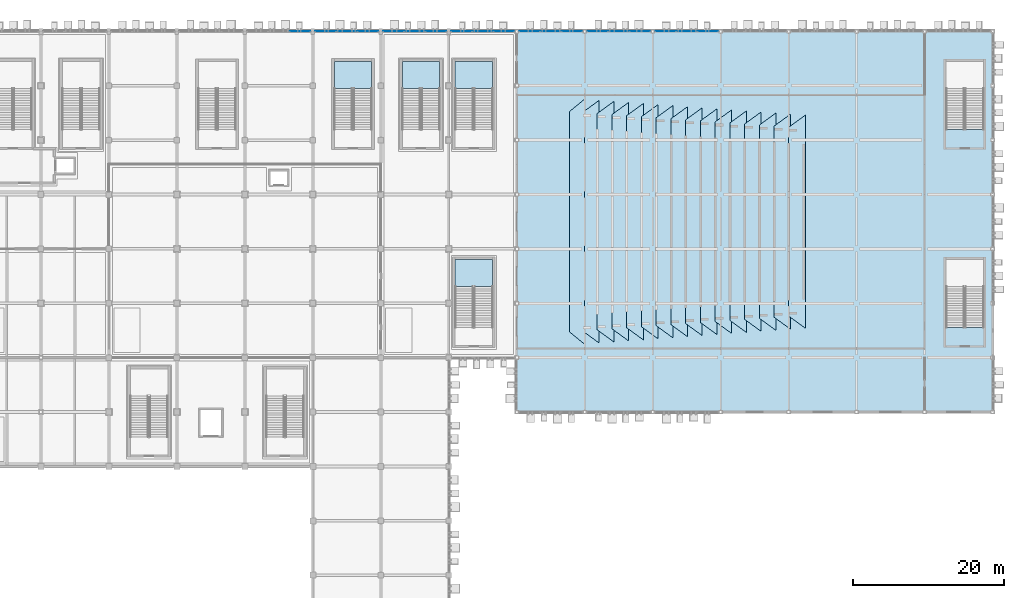
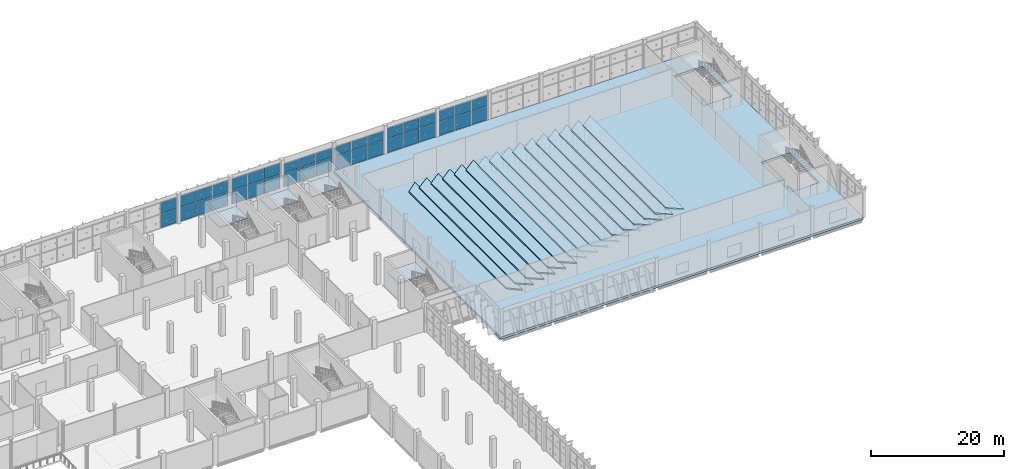
# One storey, part 121 of 189: 38 plates, 21 slabs, 11 elements without a shape of their own.
"""IFC4 building model written with IfcOpenShell, lengths in metres."""

from ifc_helpers import new_model, si_unit, direction, frame, origin, origin_2d, place, context, subcontext, project, spatial, polyline, rectangle, outline, extrude, material, layer, layer_set, type_object, element, aggregate, save


model = new_model("IFC4")

# Units and contexts
model_context = context("Model", 3, precision=1e-05, world=origin(), true_north=direction((0.0, 1.0)))
body_context = subcontext(model_context, "Body", "Model", "MODEL_VIEW")
ifc_project = project(units=[si_unit("LENGTHUNIT", "METRE"), si_unit("AREAUNIT", "SQUARE_METRE"), si_unit("VOLUMEUNIT", "CUBIC_METRE"), si_unit("PLANEANGLEUNIT", "RADIAN"), si_unit("MASSUNIT", "GRAM", prefix="KILO")], contexts=[model_context])

# Site, building, storey
site_placement = place(None, origin())
site = spatial("IfcSite", under=ifc_project, at=site_placement, CompositionType="ELEMENT")
building_placement = place(site_placement, origin())
building = spatial("IfcBuilding", under=site, at=building_placement, Name="Celestram Park Convention Centre", CompositionType="ELEMENT")
storey_placement = place(building_placement, frame((0.0, 0.0, 5.39990234375)))
storey = spatial("IfcBuildingStorey", under=building, at=storey_placement, Name="L01", CompositionType="ELEMENT", Elevation=5.39990234375)

# Curtain wall, plates
ifc_material_1 = material(Name="Anodised Aluminium Alloy 6063-T6", Category="aluminium")
ifc_layer_1 = layer(ifc_material_1, 0.179931640625)
ifc_layer_set_1 = layer_set([ifc_layer_1], Name="Anodised Aluminium Alloy 6063-T6")
curtain_wall_type_1 = type_object("IfcCurtainWallType", Name="ARC-CW-850X476", PredefinedType="NOTDEFINED", material=ifc_layer_set_1)
curtain_wall_1_placement = place(storey_placement, origin())
curtain_wall_1 = element("IfcCurtainWall", 1, at=curtain_wall_1_placement, inside=storey, type_object=curtain_wall_type_1, Name="Unitised curtain wall CU-L01-064", PredefinedType="NOTDEFINED")
ifc_material_2 = material(Name="Insulated Glazing Unit 38 mm", Category="glass")
ifc_layer_2 = layer(ifc_material_2, 0.0380859375)
ifc_layer_set_2 = layer_set([ifc_layer_2], Name="Insulated Glazing Unit 38 mm")
plate_type = type_object("IfcPlateType", Name="ARC-CWP-IGU38", PredefinedType="CURTAIN_PANEL", material=ifc_layer_set_2)
plate_1_placement = place(storey_placement, frame((124.31591796875, 165.60009765625, 0.06494140625), z_axis=(0.0, 0.0, 1.0), x_axis=(1.0, 0.0, 0.0)))
plate_1 = element("IfcPlate", 2, at=plate_1_placement, type_object=plate_type, Name="CW-85X47 panel 3.1", PredefinedType="CURTAIN_PANEL", context=body_context, shape_type="SweptSolid", body=[
    extrude(rectangle(XDim=2.72216796875, YDim=0.0380859375, at=origin_2d()), origin(), (0.0, 0.0, 1.0), 2.552490234375),
])
plate_2_placement = place(storey_placement, frame((124.31591796875, 165.60009765625, 2.6826171875), z_axis=(0.0, 0.0, 1.0), x_axis=(1.0, 0.0, 0.0)))
plate_2 = element("IfcPlate", 3, at=plate_2_placement, type_object=plate_type, Name="CW-85X47 panel 3.2", PredefinedType="CURTAIN_PANEL", context=body_context, shape_type="SweptSolid", body=[
    extrude(rectangle(XDim=2.72216796875, YDim=0.0380859375, at=origin_2d()), origin(), (0.0, 0.0, 1.0), 2.0166015625),
])
aggregate(curtain_wall_1, [plate_1, plate_2])

curtain_wall_2_placement = place(storey_placement, origin())
curtain_wall_2 = element("IfcCurtainWall", 4, at=curtain_wall_2_placement, inside=storey, type_object=curtain_wall_type_1, Name="Unitised curtain wall CU-L01-065", PredefinedType="NOTDEFINED")
plate_3_placement = place(storey_placement, frame((127.68408203125, 165.60009765625, 0.06494140625), z_axis=(0.0, 0.0, 1.0), x_axis=(1.0, 0.0, 0.0)))
plate_3 = element("IfcPlate", 5, at=plate_3_placement, type_object=plate_type, Name="CW-85X47 panel 1.1", PredefinedType="CURTAIN_PANEL", context=body_context, shape_type="SweptSolid", body=[
    extrude(rectangle(XDim=2.72216796875, YDim=0.0380859375, at=origin_2d()), origin(), (0.0, 0.0, 1.0), 2.552490234375),
])
plate_4_placement = place(storey_placement, frame((127.68408203125, 165.60009765625, 2.6826171875), z_axis=(0.0, 0.0, 1.0), x_axis=(1.0, 0.0, 0.0)))
plate_4 = element("IfcPlate", 6, at=plate_4_placement, type_object=plate_type, Name="CW-85X47 panel 1.2", PredefinedType="CURTAIN_PANEL", context=body_context, shape_type="SweptSolid", body=[
    extrude(rectangle(XDim=2.72216796875, YDim=0.0380859375, at=origin_2d()), origin(), (0.0, 0.0, 1.0), 2.0166015625),
])
plate_5_placement = place(storey_placement, frame((130.5, 165.60009765625, 0.06494140625), z_axis=(0.0, 0.0, 1.0), x_axis=(1.0, 0.0, 0.0)))
plate_5 = element("IfcPlate", 7, at=plate_5_placement, type_object=plate_type, Name="CW-85X47 panel 2.1", PredefinedType="CURTAIN_PANEL", context=body_context, shape_type="SweptSolid", body=[
    extrude(rectangle(XDim=2.759765625, YDim=0.0380859375, at=origin_2d()), origin(), (0.0, 0.0, 1.0), 2.552490234375),
])
plate_6_placement = place(storey_placement, frame((130.5, 165.60009765625, 2.6826171875), z_axis=(0.0, 0.0, 1.0), x_axis=(1.0, 0.0, 0.0)))
plate_6 = element("IfcPlate", 8, at=plate_6_placement, type_object=plate_type, Name="CW-85X47 panel 2.2", PredefinedType="CURTAIN_PANEL", context=body_context, shape_type="SweptSolid", body=[
    extrude(rectangle(XDim=2.759765625, YDim=0.0380859375, at=origin_2d()), origin(), (0.0, 0.0, 1.0), 2.0166015625),
])
plate_7_placement = place(storey_placement, frame((133.31591796875, 165.60009765625, 0.06494140625), z_axis=(0.0, 0.0, 1.0), x_axis=(1.0, 0.0, 0.0)))
plate_7 = element("IfcPlate", 9, at=plate_7_placement, type_object=plate_type, Name="CW-85X47 panel 3.1", PredefinedType="CURTAIN_PANEL", context=body_context, shape_type="SweptSolid", body=[
    extrude(rectangle(XDim=2.72216796875, YDim=0.0380859375, at=origin_2d()), origin(), (0.0, 0.0, 1.0), 2.552490234375),
])
plate_8_placement = place(storey_placement, frame((133.31591796875, 165.60009765625, 2.6826171875), z_axis=(0.0, 0.0, 1.0), x_axis=(1.0, 0.0, 0.0)))
plate_8 = element("IfcPlate", 10, at=plate_8_placement, type_object=plate_type, Name="CW-85X47 panel 3.2", PredefinedType="CURTAIN_PANEL", context=body_context, shape_type="SweptSolid", body=[
    extrude(rectangle(XDim=2.72216796875, YDim=0.0380859375, at=origin_2d()), origin(), (0.0, 0.0, 1.0), 2.0166015625),
])
aggregate(curtain_wall_2, [plate_3, plate_4, plate_5, plate_6, plate_7, plate_8])

curtain_wall_3_placement = place(storey_placement, origin())
curtain_wall_3 = element("IfcCurtainWall", 11, at=curtain_wall_3_placement, inside=storey, type_object=curtain_wall_type_1, Name="Unitised curtain wall CU-L01-066", PredefinedType="NOTDEFINED")
plate_9_placement = place(storey_placement, frame((136.68408203125, 165.60009765625, 0.06494140625), z_axis=(0.0, 0.0, 1.0), x_axis=(1.0, 0.0, 0.0)))
plate_9 = element("IfcPlate", 12, at=plate_9_placement, type_object=plate_type, Name="CW-85X47 panel 1.1", PredefinedType="CURTAIN_PANEL", context=body_context, shape_type="SweptSolid", body=[
    extrude(rectangle(XDim=2.72216796875, YDim=0.0380859375, at=origin_2d()), origin(), (0.0, 0.0, 1.0), 2.552490234375),
])
plate_10_placement = place(storey_placement, frame((136.68408203125, 165.60009765625, 2.6826171875), z_axis=(0.0, 0.0, 1.0), x_axis=(1.0, 0.0, 0.0)))
plate_10 = element("IfcPlate", 13, at=plate_10_placement, type_object=plate_type, Name="CW-85X47 panel 1.2", PredefinedType="CURTAIN_PANEL", context=body_context, shape_type="SweptSolid", body=[
    extrude(rectangle(XDim=2.72216796875, YDim=0.0380859375, at=origin_2d()), origin(), (0.0, 0.0, 1.0), 2.0166015625),
])
plate_11_placement = place(storey_placement, frame((139.5, 165.60009765625, 0.06494140625), z_axis=(0.0, 0.0, 1.0), x_axis=(1.0, 0.0, 0.0)))
plate_11 = element("IfcPlate", 14, at=plate_11_placement, type_object=plate_type, Name="CW-85X47 panel 2.1", PredefinedType="CURTAIN_PANEL", context=body_context, shape_type="SweptSolid", body=[
    extrude(rectangle(XDim=2.759765625, YDim=0.0380859375, at=origin_2d()), origin(), (0.0, 0.0, 1.0), 2.552490234375),
])
plate_12_placement = place(storey_placement, frame((139.5, 165.60009765625, 2.6826171875), z_axis=(0.0, 0.0, 1.0), x_axis=(1.0, 0.0, 0.0)))
plate_12 = element("IfcPlate", 15, at=plate_12_placement, type_object=plate_type, Name="CW-85X47 panel 2.2", PredefinedType="CURTAIN_PANEL", context=body_context, shape_type="SweptSolid", body=[
    extrude(rectangle(XDim=2.759765625, YDim=0.0380859375, at=origin_2d()), origin(), (0.0, 0.0, 1.0), 2.0166015625),
])
plate_13_placement = place(storey_placement, frame((142.31591796875, 165.60009765625, 0.06494140625), z_axis=(0.0, 0.0, 1.0), x_axis=(1.0, 0.0, 0.0)))
plate_13 = element("IfcPlate", 16, at=plate_13_placement, type_object=plate_type, Name="CW-85X47 panel 3.1", PredefinedType="CURTAIN_PANEL", context=body_context, shape_type="SweptSolid", body=[
    extrude(rectangle(XDim=2.72216796875, YDim=0.0380859375, at=origin_2d()), origin(), (0.0, 0.0, 1.0), 2.552490234375),
])
plate_14_placement = place(storey_placement, frame((142.31591796875, 165.60009765625, 2.6826171875), z_axis=(0.0, 0.0, 1.0), x_axis=(1.0, 0.0, 0.0)))
plate_14 = element("IfcPlate", 17, at=plate_14_placement, type_object=plate_type, Name="CW-85X47 panel 3.2", PredefinedType="CURTAIN_PANEL", context=body_context, shape_type="SweptSolid", body=[
    extrude(rectangle(XDim=2.72216796875, YDim=0.0380859375, at=origin_2d()), origin(), (0.0, 0.0, 1.0), 2.0166015625),
])
aggregate(curtain_wall_3, [plate_9, plate_10, plate_11, plate_12, plate_13, plate_14])

ifc_layer_3 = layer(ifc_material_1, 0.179931640625)
ifc_layer_set_3 = layer_set([ifc_layer_3], Name="Anodised Aluminium Alloy 6063-T6")
curtain_wall_type_2 = type_object("IfcCurtainWallType", Name="ARC-CW-850X437", PredefinedType="NOTDEFINED", material=ifc_layer_set_3)
curtain_wall_4_placement = place(storey_placement, origin())
curtain_wall_4 = element("IfcCurtainWall", 18, at=curtain_wall_4_placement, inside=storey, type_object=curtain_wall_type_2, Name="Unitised curtain wall CU-L01-067", PredefinedType="NOTDEFINED")
plate_15_placement = place(storey_placement, frame((145.68408203125, 165.60009765625, 0.065185546875), z_axis=(0.0, 0.0, 1.0), x_axis=(1.0, 0.0, 0.0)))
plate_15 = element("IfcPlate", 19, at=plate_15_placement, type_object=plate_type, Name="CW-85X43 panel 1.1", PredefinedType="CURTAIN_PANEL", context=body_context, shape_type="SweptSolid", body=[
    extrude(rectangle(XDim=2.72216796875, YDim=0.0380859375, at=origin_2d()), origin(), (0.0, 0.0, 1.0), 2.5234375),
])
plate_16_placement = place(storey_placement, frame((145.68408203125, 165.60009765625, 2.653564453125), z_axis=(0.0, 0.0, 1.0), x_axis=(1.0, 0.0, 0.0)))
plate_16 = element("IfcPlate", 20, at=plate_16_placement, type_object=plate_type, Name="CW-85X43 panel 1.2", PredefinedType="CURTAIN_PANEL", context=body_context, shape_type="SweptSolid", body=[
    extrude(rectangle(XDim=2.72216796875, YDim=0.0380859375, at=origin_2d()), origin(), (0.0, 0.0, 1.0), 1.6494140625),
])
plate_17_placement = place(storey_placement, frame((148.5, 165.60009765625, 0.065185546875), z_axis=(0.0, 0.0, 1.0), x_axis=(1.0, 0.0, 0.0)))
plate_17 = element("IfcPlate", 21, at=plate_17_placement, type_object=plate_type, Name="CW-85X43 panel 2.1", PredefinedType="CURTAIN_PANEL", context=body_context, shape_type="SweptSolid", body=[
    extrude(rectangle(XDim=2.759765625, YDim=0.0380859375, at=origin_2d()), origin(), (0.0, 0.0, 1.0), 2.5234375),
])
plate_18_placement = place(storey_placement, frame((148.5, 165.60009765625, 2.653564453125), z_axis=(0.0, 0.0, 1.0), x_axis=(1.0, 0.0, 0.0)))
plate_18 = element("IfcPlate", 22, at=plate_18_placement, type_object=plate_type, Name="CW-85X43 panel 2.2", PredefinedType="CURTAIN_PANEL", context=body_context, shape_type="SweptSolid", body=[
    extrude(rectangle(XDim=2.759765625, YDim=0.0380859375, at=origin_2d()), origin(), (0.0, 0.0, 1.0), 1.6494140625),
])
plate_19_placement = place(storey_placement, frame((151.31591796875, 165.60009765625, 0.065185546875), z_axis=(0.0, 0.0, 1.0), x_axis=(1.0, 0.0, 0.0)))
plate_19 = element("IfcPlate", 23, at=plate_19_placement, type_object=plate_type, Name="CW-85X43 panel 3.1", PredefinedType="CURTAIN_PANEL", context=body_context, shape_type="SweptSolid", body=[
    extrude(rectangle(XDim=2.72216796875, YDim=0.0380859375, at=origin_2d()), origin(), (0.0, 0.0, 1.0), 2.5234375),
])
plate_20_placement = place(storey_placement, frame((151.31591796875, 165.60009765625, 2.653564453125), z_axis=(0.0, 0.0, 1.0), x_axis=(1.0, 0.0, 0.0)))
plate_20 = element("IfcPlate", 24, at=plate_20_placement, type_object=plate_type, Name="CW-85X43 panel 3.2", PredefinedType="CURTAIN_PANEL", context=body_context, shape_type="SweptSolid", body=[
    extrude(rectangle(XDim=2.72216796875, YDim=0.0380859375, at=origin_2d()), origin(), (0.0, 0.0, 1.0), 1.6494140625),
])
aggregate(curtain_wall_4, [plate_15, plate_16, plate_17, plate_18, plate_19, plate_20])

curtain_wall_5_placement = place(storey_placement, origin())
curtain_wall_5 = element("IfcCurtainWall", 25, at=curtain_wall_5_placement, inside=storey, type_object=curtain_wall_type_2, Name="Unitised curtain wall CU-L01-068", PredefinedType="NOTDEFINED")
plate_21_placement = place(storey_placement, frame((154.68408203125, 165.60009765625, 0.065185546875), z_axis=(0.0, 0.0, 1.0), x_axis=(1.0, 0.0, 0.0)))
plate_21 = element("IfcPlate", 26, at=plate_21_placement, type_object=plate_type, Name="CW-85X43 panel 1.1", PredefinedType="CURTAIN_PANEL", context=body_context, shape_type="SweptSolid", body=[
    extrude(rectangle(XDim=2.72216796875, YDim=0.0380859375, at=origin_2d()), origin(), (0.0, 0.0, 1.0), 2.5234375),
])
plate_22_placement = place(storey_placement, frame((154.68408203125, 165.60009765625, 2.653564453125), z_axis=(0.0, 0.0, 1.0), x_axis=(1.0, 0.0, 0.0)))
plate_22 = element("IfcPlate", 27, at=plate_22_placement, type_object=plate_type, Name="CW-85X43 panel 1.2", PredefinedType="CURTAIN_PANEL", context=body_context, shape_type="SweptSolid", body=[
    extrude(rectangle(XDim=2.72216796875, YDim=0.0380859375, at=origin_2d()), origin(), (0.0, 0.0, 1.0), 1.6494140625),
])
plate_23_placement = place(storey_placement, frame((157.5, 165.60009765625, 0.065185546875), z_axis=(0.0, 0.0, 1.0), x_axis=(1.0, 0.0, 0.0)))
plate_23 = element("IfcPlate", 28, at=plate_23_placement, type_object=plate_type, Name="CW-85X43 panel 2.1", PredefinedType="CURTAIN_PANEL", context=body_context, shape_type="SweptSolid", body=[
    extrude(rectangle(XDim=2.759765625, YDim=0.0380859375, at=origin_2d()), origin(), (0.0, 0.0, 1.0), 2.5234375),
])
plate_24_placement = place(storey_placement, frame((157.5, 165.60009765625, 2.653564453125), z_axis=(0.0, 0.0, 1.0), x_axis=(1.0, 0.0, 0.0)))
plate_24 = element("IfcPlate", 29, at=plate_24_placement, type_object=plate_type, Name="CW-85X43 panel 2.2", PredefinedType="CURTAIN_PANEL", context=body_context, shape_type="SweptSolid", body=[
    extrude(rectangle(XDim=2.759765625, YDim=0.0380859375, at=origin_2d()), origin(), (0.0, 0.0, 1.0), 1.6494140625),
])
plate_25_placement = place(storey_placement, frame((160.31591796875, 165.60009765625, 0.065185546875), z_axis=(0.0, 0.0, 1.0), x_axis=(1.0, 0.0, 0.0)))
plate_25 = element("IfcPlate", 30, at=plate_25_placement, type_object=plate_type, Name="CW-85X43 panel 3.1", PredefinedType="CURTAIN_PANEL", context=body_context, shape_type="SweptSolid", body=[
    extrude(rectangle(XDim=2.72216796875, YDim=0.0380859375, at=origin_2d()), origin(), (0.0, 0.0, 1.0), 2.5234375),
])
plate_26_placement = place(storey_placement, frame((160.31591796875, 165.60009765625, 2.653564453125), z_axis=(0.0, 0.0, 1.0), x_axis=(1.0, 0.0, 0.0)))
plate_26 = element("IfcPlate", 31, at=plate_26_placement, type_object=plate_type, Name="CW-85X43 panel 3.2", PredefinedType="CURTAIN_PANEL", context=body_context, shape_type="SweptSolid", body=[
    extrude(rectangle(XDim=2.72216796875, YDim=0.0380859375, at=origin_2d()), origin(), (0.0, 0.0, 1.0), 1.6494140625),
])
aggregate(curtain_wall_5, [plate_21, plate_22, plate_23, plate_24, plate_25, plate_26])

ifc_layer_4 = layer(ifc_material_1, 0.179931640625)
ifc_layer_set_4 = layer_set([ifc_layer_4], Name="Anodised Aluminium Alloy 6063-T6")
curtain_wall_type_3 = type_object("IfcCurtainWallType", Name="ARC-CW-850X462", PredefinedType="NOTDEFINED", material=ifc_layer_set_4)
curtain_wall_6_placement = place(storey_placement, origin())
curtain_wall_6 = element("IfcCurtainWall", 32, at=curtain_wall_6_placement, inside=storey, type_object=curtain_wall_type_3, Name="Unitised curtain wall CU-L01-069", PredefinedType="NOTDEFINED")
plate_27_placement = place(storey_placement, frame((163.68408203125, 165.60009765625, 0.06494140625), z_axis=(0.0, 0.0, 1.0), x_axis=(1.0, 0.0, 0.0)))
plate_27 = element("IfcPlate", 33, at=plate_27_placement, type_object=plate_type, Name="CW-85X46 panel 1.1", PredefinedType="CURTAIN_PANEL", context=body_context, shape_type="SweptSolid", body=[
    extrude(rectangle(XDim=2.72216796875, YDim=0.0380859375, at=origin_2d()), origin(), (0.0, 0.0, 1.0), 2.552490234375),
])
plate_28_placement = place(storey_placement, frame((163.68408203125, 165.60009765625, 2.6826171875), z_axis=(0.0, 0.0, 1.0), x_axis=(1.0, 0.0, 0.0)))
plate_28 = element("IfcPlate", 34, at=plate_28_placement, type_object=plate_type, Name="CW-85X46 panel 1.2", PredefinedType="CURTAIN_PANEL", context=body_context, shape_type="SweptSolid", body=[
    extrude(rectangle(XDim=2.72216796875, YDim=0.0380859375, at=origin_2d()), origin(), (0.0, 0.0, 1.0), 1.87646484375),
])
plate_29_placement = place(storey_placement, frame((166.5, 165.60009765625, 0.06494140625), z_axis=(0.0, 0.0, 1.0), x_axis=(1.0, 0.0, 0.0)))
plate_29 = element("IfcPlate", 35, at=plate_29_placement, type_object=plate_type, Name="CW-85X46 panel 2.1", PredefinedType="CURTAIN_PANEL", context=body_context, shape_type="SweptSolid", body=[
    extrude(rectangle(XDim=2.759765625, YDim=0.0380859375, at=origin_2d()), origin(), (0.0, 0.0, 1.0), 2.552490234375),
])
plate_30_placement = place(storey_placement, frame((166.5, 165.60009765625, 2.6826171875), z_axis=(0.0, 0.0, 1.0), x_axis=(1.0, 0.0, 0.0)))
plate_30 = element("IfcPlate", 36, at=plate_30_placement, type_object=plate_type, Name="CW-85X46 panel 2.2", PredefinedType="CURTAIN_PANEL", context=body_context, shape_type="SweptSolid", body=[
    extrude(rectangle(XDim=2.759765625, YDim=0.0380859375, at=origin_2d()), origin(), (0.0, 0.0, 1.0), 1.87646484375),
])
plate_31_placement = place(storey_placement, frame((169.31591796875, 165.60009765625, 0.06494140625), z_axis=(0.0, 0.0, 1.0), x_axis=(1.0, 0.0, 0.0)))
plate_31 = element("IfcPlate", 37, at=plate_31_placement, type_object=plate_type, Name="CW-85X46 panel 3.1", PredefinedType="CURTAIN_PANEL", context=body_context, shape_type="SweptSolid", body=[
    extrude(rectangle(XDim=2.72216796875, YDim=0.0380859375, at=origin_2d()), origin(), (0.0, 0.0, 1.0), 2.552490234375),
])
plate_32_placement = place(storey_placement, frame((169.31591796875, 165.60009765625, 2.6826171875), z_axis=(0.0, 0.0, 1.0), x_axis=(1.0, 0.0, 0.0)))
plate_32 = element("IfcPlate", 38, at=plate_32_placement, type_object=plate_type, Name="CW-85X46 panel 3.2", PredefinedType="CURTAIN_PANEL", context=body_context, shape_type="SweptSolid", body=[
    extrude(rectangle(XDim=2.72216796875, YDim=0.0380859375, at=origin_2d()), origin(), (0.0, 0.0, 1.0), 1.87646484375),
])
aggregate(curtain_wall_6, [plate_27, plate_28, plate_29, plate_30, plate_31, plate_32])

curtain_wall_7_placement = place(storey_placement, origin())
curtain_wall_7 = element("IfcCurtainWall", 39, at=curtain_wall_7_placement, inside=storey, type_object=curtain_wall_type_3, Name="Unitised curtain wall CU-L01-070", PredefinedType="NOTDEFINED")
plate_33_placement = place(storey_placement, frame((172.68408203125, 165.60009765625, 0.06494140625), z_axis=(0.0, 0.0, 1.0), x_axis=(1.0, 0.0, 0.0)))
plate_33 = element("IfcPlate", 40, at=plate_33_placement, type_object=plate_type, Name="CW-85X46 panel 1.1", PredefinedType="CURTAIN_PANEL", context=body_context, shape_type="SweptSolid", body=[
    extrude(rectangle(XDim=2.72216796875, YDim=0.0380859375, at=origin_2d()), origin(), (0.0, 0.0, 1.0), 2.552490234375),
])
plate_34_placement = place(storey_placement, frame((172.68408203125, 165.60009765625, 2.6826171875), z_axis=(0.0, 0.0, 1.0), x_axis=(1.0, 0.0, 0.0)))
plate_34 = element("IfcPlate", 41, at=plate_34_placement, type_object=plate_type, Name="CW-85X46 panel 1.2", PredefinedType="CURTAIN_PANEL", context=body_context, shape_type="SweptSolid", body=[
    extrude(rectangle(XDim=2.72216796875, YDim=0.0380859375, at=origin_2d()), origin(), (0.0, 0.0, 1.0), 1.87646484375),
])
plate_35_placement = place(storey_placement, frame((175.5, 165.60009765625, 0.06494140625), z_axis=(0.0, 0.0, 1.0), x_axis=(1.0, 0.0, 0.0)))
plate_35 = element("IfcPlate", 42, at=plate_35_placement, type_object=plate_type, Name="CW-85X46 panel 2.1", PredefinedType="CURTAIN_PANEL", context=body_context, shape_type="SweptSolid", body=[
    extrude(rectangle(XDim=2.759765625, YDim=0.0380859375, at=origin_2d()), origin(), (0.0, 0.0, 1.0), 2.552490234375),
])
plate_36_placement = place(storey_placement, frame((175.5, 165.60009765625, 2.6826171875), z_axis=(0.0, 0.0, 1.0), x_axis=(1.0, 0.0, 0.0)))
plate_36 = element("IfcPlate", 43, at=plate_36_placement, type_object=plate_type, Name="CW-85X46 panel 2.2", PredefinedType="CURTAIN_PANEL", context=body_context, shape_type="SweptSolid", body=[
    extrude(rectangle(XDim=2.759765625, YDim=0.0380859375, at=origin_2d()), origin(), (0.0, 0.0, 1.0), 1.87646484375),
])
plate_37_placement = place(storey_placement, frame((178.31591796875, 165.60009765625, 0.06494140625), z_axis=(0.0, 0.0, 1.0), x_axis=(1.0, 0.0, 0.0)))
plate_37 = element("IfcPlate", 44, at=plate_37_placement, type_object=plate_type, Name="CW-85X46 panel 3.1", PredefinedType="CURTAIN_PANEL", context=body_context, shape_type="SweptSolid", body=[
    extrude(rectangle(XDim=2.72216796875, YDim=0.0380859375, at=origin_2d()), origin(), (0.0, 0.0, 1.0), 2.552490234375),
])
plate_38_placement = place(storey_placement, frame((178.31591796875, 165.60009765625, 2.6826171875), z_axis=(0.0, 0.0, 1.0), x_axis=(1.0, 0.0, 0.0)))
plate_38 = element("IfcPlate", 45, at=plate_38_placement, type_object=plate_type, Name="CW-85X46 panel 3.2", PredefinedType="CURTAIN_PANEL", context=body_context, shape_type="SweptSolid", body=[
    extrude(rectangle(XDim=2.72216796875, YDim=0.0380859375, at=origin_2d()), origin(), (0.0, 0.0, 1.0), 1.87646484375),
])
aggregate(curtain_wall_7, [plate_33, plate_34, plate_35, plate_36, plate_37, plate_38])

# Stair, slab
ifc_material_3 = material(Name="Precast Concrete C40/50", Category="concrete")
stair_type = type_object("IfcStairType", Name="ARC-STR-DOG54", PredefinedType="HALF_TURN_STAIR", material=ifc_material_3)
stair_1_placement = place(storey_placement, origin())
stair_1 = element("IfcStair", 46, at=stair_1_placement, inside=storey, type_object=stair_type, Name="L01 Core C5 stair ST-05", PredefinedType="HALF_TURN_STAIR")
ifc_material_4 = material(Name="Concrete C35/45", Category="concrete")
ifc_layer_5 = layer(ifc_material_4, 0.199951171875)
ifc_layer_set_5 = layer_set([ifc_layer_5], Name="Concrete C35/45")
slab_type_1 = type_object("IfcSlabType", Name="STR-SLB-LND200", PredefinedType="LANDING", material=ifc_layer_set_5)
slab_1_placement = place(storey_placement, frame((0.0, 0.0, 2.5)))
slab_1 = element("IfcSlab", 47, at=slab_1_placement, type_object=slab_type_1, Name="ST-05 landing 1", PredefinedType="LANDING", context=body_context, shape_type="SweptSolid", body=[
    extrude(outline(polyline([(133.800048828125, 158.033935546875), (133.800048828125, 161.60009765625), (128.840087890625, 161.60009765625), (128.840087890625, 158.033935546875), (133.800048828125, 158.033935546875)])), origin(), (0.0, 0.0, 1.0), 0.2001953125),
])
aggregate(stair_1, [slab_1])

stair_2_placement = place(storey_placement, origin())
stair_2 = element("IfcStair", 48, at=stair_2_placement, inside=storey, type_object=stair_type, Name="L01 Core S09 stair ST-09", PredefinedType="HALF_TURN_STAIR")
slab_2_placement = place(storey_placement, frame((0.0, 0.0, 2.5)))
slab_2 = element("IfcSlab", 49, at=slab_2_placement, type_object=slab_type_1, Name="ST-09 landing 1", PredefinedType="LANDING", context=body_context, shape_type="SweptSolid", body=[
    extrude(outline(polyline([(149.800048828125, 158.033935546875), (149.800048828125, 161.60009765625), (144.840087890625, 161.60009765625), (144.840087890625, 158.033935546875), (149.800048828125, 158.033935546875)])), origin(), (0.0, 0.0, 1.0), 0.2001953125),
])
aggregate(stair_2, [slab_2])

stair_3_placement = place(storey_placement, origin())
stair_3 = element("IfcStair", 50, at=stair_3_placement, inside=storey, type_object=stair_type, Name="L01 Core S10 stair ST-10", PredefinedType="HALF_TURN_STAIR")
slab_3_placement = place(storey_placement, frame((0.0, 0.0, 2.5)))
slab_3 = element("IfcSlab", 51, at=slab_3_placement, type_object=slab_type_1, Name="ST-10 landing 1", PredefinedType="LANDING", context=body_context, shape_type="SweptSolid", body=[
    extrude(outline(polyline([(149.800048828125, 131.833984375), (149.800048828125, 135.39990234375), (144.840087890625, 135.39990234375), (144.840087890625, 131.833984375), (149.800048828125, 131.833984375)])), origin(), (0.0, 0.0, 1.0), 0.2001953125),
])
aggregate(stair_3, [slab_3])

stair_4_placement = place(storey_placement, origin())
stair_4 = element("IfcStair", 52, at=stair_4_placement, inside=storey, type_object=stair_type, Name="L01 Core S22 stair ST-22", PredefinedType="HALF_TURN_STAIR")
slab_4_placement = place(storey_placement, frame((0.0, 0.0, 2.5)))
slab_4 = element("IfcSlab", 53, at=slab_4_placement, type_object=slab_type_1, Name="ST-22 landing 1", PredefinedType="LANDING", context=body_context, shape_type="SweptSolid", body=[
    extrude(outline(polyline([(142.800048828125, 158.033935546875), (142.800048828125, 161.60009765625), (137.840087890625, 161.60009765625), (137.840087890625, 158.033935546875), (142.800048828125, 158.033935546875)])), origin(), (0.0, 0.0, 1.0), 0.2001953125),
])
aggregate(stair_4, [slab_4])

# Slabs
ifc_layer_6 = layer(ifc_material_4, 0.419921875)
ifc_layer_set_6 = layer_set([ifc_layer_6], Name="Concrete C35/45")
slab_type_2 = type_object("IfcSlabType", Name="STR-SLB-PLN420", PredefinedType="FLOOR", material=ifc_layer_set_6)
slab_5_placement = place(storey_placement, frame((0.0, 0.0, -0.419921875)))
element("IfcSlab", 54, at=slab_5_placement, inside=storey, type_object=slab_type_2, Name="Floor slab L01-PLN", PredefinedType="FLOOR", context=body_context, shape_type="SweptSolid", body=[
    extrude(outline(polyline([(153.0, 115.199951171875), (153.0, 165.60009765625), (216.0, 165.60009765625), (216.0, 115.199951171875), (153.0, 115.199951171875)]), holes=[polyline([(214.800048828125, 126.406005859375), (214.800048828125, 135.39990234375), (209.840087890625, 135.39990234375), (209.840087890625, 126.406005859375), (214.800048828125, 126.406005859375)]), polyline([(214.800048828125, 152.60595703125), (214.800048828125, 161.60009765625), (209.840087890625, 161.60009765625), (209.840087890625, 152.60595703125), (214.800048828125, 152.60595703125)])]), origin(), (0.0, 0.0, 1.0), 0.419921875),
])
ifc_layer_7 = layer(ifc_material_4, 0.219970703125)
ifc_layer_set_7 = layer_set([ifc_layer_7], Name="Concrete C35/45")
slab_type_3 = type_object("IfcSlabType", Name="STR-SLB-TIER220", PredefinedType="USERDEFINED", material=ifc_layer_set_7)
slab_6_placement = place(storey_placement, origin())
element("IfcSlab", 55, at=slab_6_placement, inside=storey, type_object=slab_type_3, Name="Plenary stalls seating tier 1", ObjectType="SEATING_TIER", PredefinedType="USERDEFINED", context=body_context, shape_type="SweptSolid", body=[
    extrude(outline(polyline([(160.0, 125.800048828125), (161.949951171875, 124.199951171875), (161.949951171875, 156.60009765625), (160.0, 155.0), (160.0, 125.800048828125)])), origin(), (0.0, 0.0, 1.0), 0.22021484375),
])
slab_7_placement = place(storey_placement, frame((0.0, 0.0, 0.22021484375)))
element("IfcSlab", 56, at=slab_7_placement, inside=storey, type_object=slab_type_3, Name="Plenary stalls seating tier 2", ObjectType="SEATING_TIER", PredefinedType="USERDEFINED", context=body_context, shape_type="SweptSolid", body=[
    extrude(outline(polyline([(161.699951171875, 125.93994140625), (163.89990234375, 124.340087890625), (163.89990234375, 156.4599609375), (161.699951171875, 154.860107421875), (161.699951171875, 125.93994140625)])), origin(), (0.0, 0.0, 1.0), 0.219970703125),
])
slab_8_placement = place(storey_placement, frame((0.0, 0.0, 0.440185546875)))
element("IfcSlab", 57, at=slab_8_placement, inside=storey, type_object=slab_type_3, Name="Plenary stalls seating tier 3", ObjectType="SEATING_TIER", PredefinedType="USERDEFINED", context=body_context, shape_type="SweptSolid", body=[
    extrude(outline(polyline([(163.64990234375, 126.080078125), (165.85009765625, 124.47998046875), (165.85009765625, 156.320068359375), (163.64990234375, 154.719970703125), (163.64990234375, 126.080078125)])), origin(), (0.0, 0.0, 1.0), 0.219970703125),
])
slab_9_placement = place(storey_placement, frame((0.0, 0.0, 0.66015625)))
element("IfcSlab", 58, at=slab_9_placement, inside=storey, type_object=slab_type_3, Name="Plenary stalls seating tier 4", ObjectType="SEATING_TIER", PredefinedType="USERDEFINED", context=body_context, shape_type="SweptSolid", body=[
    extrude(outline(polyline([(165.60009765625, 126.219970703125), (167.800048828125, 124.6201171875), (167.800048828125, 156.179931640625), (165.60009765625, 154.580078125), (165.60009765625, 126.219970703125)])), origin(), (0.0, 0.0, 1.0), 0.219970703125),
])
slab_10_placement = place(storey_placement, frame((0.0, 0.0, 0.880126953125)))
element("IfcSlab", 59, at=slab_10_placement, inside=storey, type_object=slab_type_3, Name="Plenary stalls seating tier 5", ObjectType="SEATING_TIER", PredefinedType="USERDEFINED", context=body_context, shape_type="SweptSolid", body=[
    extrude(outline(polyline([(167.550048828125, 126.360107421875), (169.75, 124.760009765625), (169.75, 156.0400390625), (167.550048828125, 154.43994140625), (167.550048828125, 126.360107421875)])), origin(), (0.0, 0.0, 1.0), 0.219970703125),
])
slab_11_placement = place(storey_placement, frame((0.0, 0.0, 1.10009765625)))
element("IfcSlab", 60, at=slab_11_placement, inside=storey, type_object=slab_type_3, Name="Plenary stalls seating tier 6", ObjectType="SEATING_TIER", PredefinedType="USERDEFINED", context=body_context, shape_type="SweptSolid", body=[
    extrude(outline(polyline([(169.5, 126.5), (171.699951171875, 124.89990234375), (171.699951171875, 155.89990234375), (169.5, 154.300048828125), (169.5, 126.5)])), origin(), (0.0, 0.0, 1.0), 0.219970703125),
])
slab_12_placement = place(storey_placement, frame((0.0, 0.0, 1.320068359375)))
element("IfcSlab", 61, at=slab_12_placement, inside=storey, type_object=slab_type_3, Name="Plenary stalls seating tier 7", ObjectType="SEATING_TIER", PredefinedType="USERDEFINED", context=body_context, shape_type="SweptSolid", body=[
    extrude(outline(polyline([(171.449951171875, 126.639892578125), (173.64990234375, 125.0400390625), (173.64990234375, 155.760009765625), (171.449951171875, 154.159912109375), (171.449951171875, 126.639892578125)])), origin(), (0.0, 0.0, 1.0), 0.219970703125),
])
slab_13_placement = place(storey_placement, frame((0.0, 0.0, 1.5400390625)))
element("IfcSlab", 62, at=slab_13_placement, inside=storey, type_object=slab_type_3, Name="Plenary stalls seating tier 8", ObjectType="SEATING_TIER", PredefinedType="USERDEFINED", context=body_context, shape_type="SweptSolid", body=[
    extrude(outline(polyline([(173.39990234375, 126.780029296875), (175.60009765625, 125.179931640625), (175.60009765625, 155.6201171875), (173.39990234375, 154.02001953125), (173.39990234375, 126.780029296875)])), origin(), (0.0, 0.0, 1.0), 0.219970703125),
])
slab_14_placement = place(storey_placement, frame((0.0, 0.0, 1.760009765625)))
element("IfcSlab", 63, at=slab_14_placement, inside=storey, type_object=slab_type_3, Name="Plenary stalls seating tier 9", ObjectType="SEATING_TIER", PredefinedType="USERDEFINED", context=body_context, shape_type="SweptSolid", body=[
    extrude(outline(polyline([(175.35009765625, 126.919921875), (177.550048828125, 125.320068359375), (177.550048828125, 155.47998046875), (175.35009765625, 153.8798828125), (175.35009765625, 126.919921875)])), origin(), (0.0, 0.0, 1.0), 0.219970703125),
])
slab_15_placement = place(storey_placement, frame((0.0, 0.0, 1.97998046875)))
element("IfcSlab", 64, at=slab_15_placement, inside=storey, type_object=slab_type_3, Name="Plenary stalls seating tier 10", ObjectType="SEATING_TIER", PredefinedType="USERDEFINED", context=body_context, shape_type="SweptSolid", body=[
    extrude(outline(polyline([(177.300048828125, 127.06005859375), (179.5, 125.4599609375), (179.5, 155.340087890625), (177.300048828125, 153.739990234375), (177.300048828125, 127.06005859375)])), origin(), (0.0, 0.0, 1.0), 0.22021484375),
])
slab_16_placement = place(storey_placement, frame((0.0, 0.0, 2.2001953125)))
element("IfcSlab", 65, at=slab_16_placement, inside=storey, type_object=slab_type_3, Name="Plenary stalls seating tier 11", ObjectType="SEATING_TIER", PredefinedType="USERDEFINED", context=body_context, shape_type="SweptSolid", body=[
    extrude(outline(polyline([(179.25, 127.199951171875), (181.449951171875, 125.60009765625), (181.449951171875, 155.199951171875), (179.25, 153.60009765625), (179.25, 127.199951171875)])), origin(), (0.0, 0.0, 1.0), 0.219970703125),
])
slab_17_placement = place(storey_placement, frame((0.0, 0.0, 2.420166015625)))
element("IfcSlab", 66, at=slab_17_placement, inside=storey, type_object=slab_type_3, Name="Plenary stalls seating tier 12", ObjectType="SEATING_TIER", PredefinedType="USERDEFINED", context=body_context, shape_type="SweptSolid", body=[
    extrude(outline(polyline([(181.199951171875, 127.340087890625), (183.39990234375, 125.739990234375), (183.39990234375, 155.06005859375), (181.199951171875, 153.4599609375), (181.199951171875, 127.340087890625)])), origin(), (0.0, 0.0, 1.0), 0.219970703125),
])
slab_18_placement = place(storey_placement, frame((0.0, 0.0, 2.64013671875)))
element("IfcSlab", 67, at=slab_18_placement, inside=storey, type_object=slab_type_3, Name="Plenary stalls seating tier 13", ObjectType="SEATING_TIER", PredefinedType="USERDEFINED", context=body_context, shape_type="SweptSolid", body=[
    extrude(outline(polyline([(183.14990234375, 127.47998046875), (185.35009765625, 125.8798828125), (185.35009765625, 154.919921875), (183.14990234375, 153.320068359375), (183.14990234375, 127.47998046875)])), origin(), (0.0, 0.0, 1.0), 0.219970703125),
])
slab_19_placement = place(storey_placement, frame((0.0, 0.0, 2.860107421875)))
element("IfcSlab", 68, at=slab_19_placement, inside=storey, type_object=slab_type_3, Name="Plenary stalls seating tier 14", ObjectType="SEATING_TIER", PredefinedType="USERDEFINED", context=body_context, shape_type="SweptSolid", body=[
    extrude(outline(polyline([(185.10009765625, 127.6201171875), (187.300048828125, 126.02001953125), (187.300048828125, 154.780029296875), (185.10009765625, 153.179931640625), (185.10009765625, 127.6201171875)])), origin(), (0.0, 0.0, 1.0), 0.219970703125),
])
slab_20_placement = place(storey_placement, frame((0.0, 0.0, 3.080078125)))
element("IfcSlab", 69, at=slab_20_placement, inside=storey, type_object=slab_type_3, Name="Plenary stalls seating tier 15", ObjectType="SEATING_TIER", PredefinedType="USERDEFINED", context=body_context, shape_type="SweptSolid", body=[
    extrude(outline(polyline([(187.050048828125, 127.760009765625), (189.25, 126.159912109375), (189.25, 154.639892578125), (187.050048828125, 153.0400390625), (187.050048828125, 127.760009765625)])), origin(), (0.0, 0.0, 1.0), 0.219970703125),
])
slab_21_placement = place(storey_placement, frame((0.0, 0.0, 3.300048828125)))
element("IfcSlab", 70, at=slab_21_placement, inside=storey, type_object=slab_type_3, Name="Plenary stalls seating tier 16", ObjectType="SEATING_TIER", PredefinedType="USERDEFINED", context=body_context, shape_type="SweptSolid", body=[
    extrude(outline(polyline([(189.0, 127.89990234375), (191.199951171875, 126.300048828125), (191.199951171875, 154.5), (189.0, 152.89990234375), (189.0, 127.89990234375)])), origin(), (0.0, 0.0, 1.0), 0.219970703125),
])

save(model, "model.ifc")
